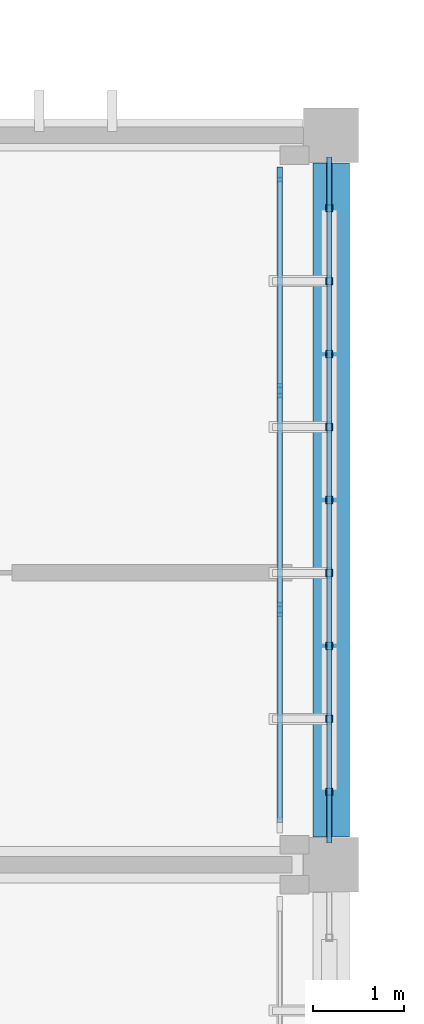
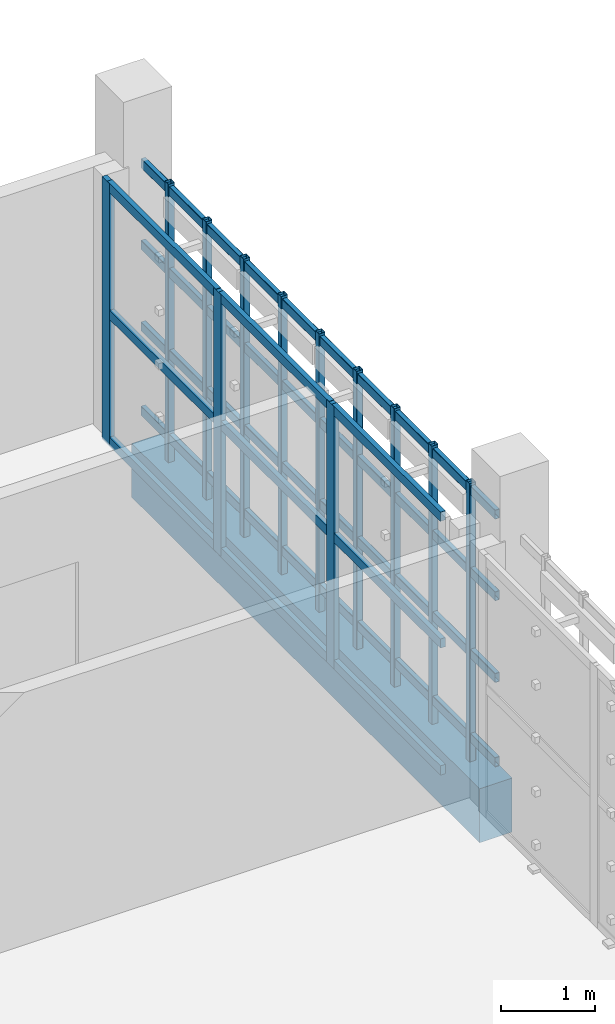
# One storey, part 50 of 83: 25 members, 1 beam, 1 element without a shape of its own.
"""IFC4 building model written with IfcOpenShell, lengths in metres."""

from ifc_helpers import new_model, si_unit, direction, frame, origin, origin_2d, place, context, subcontext, project, spatial, rectangle, hollow_rectangle, extrude, material, layer, layer_set, material_profile, profile_set, type_object, element, aggregate, save


model = new_model("IFC4")

# Units and contexts
model_context = context("Model", 3, precision=1e-05, world=origin(), true_north=direction((0.0, 1.0)))
body_context = subcontext(model_context, "Body", "Model", "MODEL_VIEW")
ifc_project = project(units=[si_unit("LENGTHUNIT", "METRE"), si_unit("AREAUNIT", "SQUARE_METRE"), si_unit("VOLUMEUNIT", "CUBIC_METRE"), si_unit("PLANEANGLEUNIT", "RADIAN"), si_unit("MASSUNIT", "GRAM", prefix="KILO")], contexts=[model_context])

# Site, building, storey
site_placement = place(None, origin())
site = spatial("IfcSite", under=ifc_project, at=site_placement, CompositionType="ELEMENT")
building_placement = place(site_placement, origin())
building = spatial("IfcBuilding", under=site, at=building_placement, Name="Jelvoka-Kovrelna Polytechnic", CompositionType="ELEMENT")
storey_placement = place(building_placement, frame((0.0, 0.0, 13.800048828125)))
storey = spatial("IfcBuildingStorey", under=building, at=storey_placement, Name="L04", CompositionType="ELEMENT", Elevation=13.800048828125)

# Beam
ifc_material_1 = material(Name="Concrete C40/50", Category="concrete")
ifc_material_profile_1 = material_profile(ifc_material_1, rectangle(XDim=0.39990234375, YDim=0.699951171875, at=origin_2d()), Name="RC 400x700")
ifc_profile_set_1 = profile_set([ifc_material_profile_1], Name="Concrete C40/50")
beam_type = type_object("IfcBeamType", Name="Beam_RC_400x700", PredefinedType="BEAM", material=ifc_profile_set_1)
beam_placement = place(storey_placement, frame((200.0, 40.304931640625, -0.60009765625), z_axis=(0.0, 1.0, 0.0), x_axis=(-1.0, 0.0, 0.0)))
element("IfcBeam", 1, at=beam_placement, inside=storey, type_object=beam_type, Name="L04 beam 1257", PredefinedType="BEAM", context=body_context, shape_type="SweptSolid", body=[
    extrude(rectangle(XDim=0.39990234375, YDim=0.699951171875, at=origin_2d()), origin(), (0.0, 0.0, 1.0), 7.39013671875),
])

# Members
ifc_material_2 = material(Name="Structural steel S355J2H", Category="steel")
ifc_material_profile_2 = material_profile(ifc_material_2, hollow_rectangle(XDim=0.06005859375, YDim=0.1201171875, WallThickness=0.0048828125, InnerFilletRadius=0.0048828125, OuterFilletRadius=0.007568359375, at=origin_2d()), Name="120x60x5.0 RHS")
ifc_profile_set_2 = profile_set([ifc_material_profile_2], Name="Structural steel S355J2H")
member_type_1 = type_object("IfcMemberType", Name="Member_Strut_RHS120", PredefinedType="STRUT", material=ifc_profile_set_2)
for number, where, z_axis, x_axis, name in (
    (2, (199.97998046875, 40.239990234375, 0.079833984375), (0.0, 1.0, 0.0), (-1.0, 0.0, 0.0), "L04 terracotta screen horizontal strut 0469"),
    (3, (199.97998046875, 40.239990234375, 1.17138671875), (0.0, 1.0, 0.0), (-1.0, 0.0, 0.0), "L04 terracotta screen horizontal strut 0470"),
    (4, (199.97998046875, 40.239990234375, 2.230712890625), (0.0, 1.0, 0.0), (-1.0, 0.0, 0.0), "L04 terracotta screen horizontal strut 0471"),
    (5, (199.97998046875, 40.239990234375, 3.2900390625), (0.0, 1.0, 0.0), (-1.0, 0.0, 0.0), "L04 terracotta screen horizontal strut 0472"),
):
    element("IfcMember", number, at=place(storey_placement, frame(where, z_axis=z_axis, x_axis=x_axis)), inside=storey, type_object=member_type_1, Name=name, PredefinedType="STRUT", context=body_context, shape_type="SweptSolid", body=[
        extrude(hollow_rectangle(XDim=0.06005859375, YDim=0.1201171875, WallThickness=0.0048828125, InnerFilletRadius=0.0048828125, OuterFilletRadius=0.007568359375, at=origin_2d()), origin(), (0.0, 0.0, 1.0), 7.52001953125),
    ])
ifc_material_3 = material(Name="Structural steel S355J2H", Category="steel")
ifc_material_profile_3 = material_profile(ifc_material_3, hollow_rectangle(XDim=0.080078125, YDim=0.080078125, WallThickness=0.0048828125, InnerFilletRadius=0.0048828125, OuterFilletRadius=0.007568359375, at=origin_2d()), Name="80x80x5.0 SHS")
ifc_profile_set_3 = profile_set([ifc_material_profile_3], Name="Structural steel S355J2H")
member_type_2 = type_object("IfcMemberType", Name="Member_Strut_SHS80", PredefinedType="STRUT", material=ifc_profile_set_3)
for number, where, z_axis, x_axis, name in (
    (6, (199.97998046875, 40.800048828125, -0.22998046875), (0.0, 0.0, 1.0), (1.0, 0.0, 0.0), "L04 terracotta lattice vertical rib 0473"),
    (7, (199.97998046875, 41.60009765625, -0.22998046875), (0.0, 0.0, 1.0), (1.0, 0.0, 0.0), "L04 terracotta lattice vertical rib 0474"),
    (8, (199.97998046875, 42.39990234375, -0.22998046875), (0.0, 0.0, 1.0), (1.0, 0.0, 0.0), "L04 terracotta lattice vertical rib 0475"),
    (9, (199.97998046875, 43.199951171875, -0.22998046875), (0.0, 0.0, 1.0), (1.0, 0.0, 0.0), "L04 terracotta lattice vertical rib 0476"),
    (10, (199.97998046875, 44.0, -0.22998046875), (0.0, 0.0, 1.0), (1.0, 0.0, 0.0), "L04 terracotta lattice vertical rib 0477"),
    (11, (199.97998046875, 44.800048828125, -0.22998046875), (0.0, 0.0, 1.0), (1.0, 0.0, 0.0), "L04 terracotta lattice vertical rib 0478"),
    (12, (199.97998046875, 45.60009765625, -0.22998046875), (0.0, 0.0, 1.0), (1.0, 0.0, 0.0), "L04 terracotta lattice vertical rib 0479"),
    (13, (199.97998046875, 46.39990234375, -0.22998046875), (0.0, 0.0, 1.0), (1.0, 0.0, 0.0), "L04 terracotta lattice vertical rib 0480"),
    (14, (199.97998046875, 47.199951171875, -0.22998046875), (0.0, 0.0, 1.0), (1.0, 0.0, 0.0), "L04 terracotta lattice vertical rib 0481"),
):
    element("IfcMember", number, at=place(storey_placement, frame(where, z_axis=z_axis, x_axis=x_axis)), inside=storey, type_object=member_type_2, Name=name, PredefinedType="STRUT", context=body_context, shape_type="SweptSolid", body=[
        extrude(hollow_rectangle(XDim=0.080078125, YDim=0.080078125, WallThickness=0.0048828125, InnerFilletRadius=0.0048828125, OuterFilletRadius=0.007568359375, at=origin_2d()), origin(), (0.0, 0.0, 1.0), 3.60986328125),
    ])

# Curtain wall, members
ifc_material_4 = material(Name="Anodised aluminium 6063-T6", Category="aluminium")
ifc_layer = layer(ifc_material_4, 0.159912109375)
ifc_layer_set = layer_set([ifc_layer], Name="Anodised aluminium 6063-T6")
curtain_wall_type = type_object("IfcCurtainWallType", Name="CW_Recessed_A", PredefinedType="NOTDEFINED", material=ifc_layer_set)
curtain_wall_placement = place(storey_placement, origin())
curtain_wall = element("IfcCurtainWall", 15, at=curtain_wall_placement, inside=storey, type_object=curtain_wall_type, Name="L04 glazed curtain wall 069", PredefinedType="NOTDEFINED")
ifc_material_5 = material(Name="Anodised aluminium 6063-T6", Category="aluminium")
ifc_material_profile_4 = material_profile(ifc_material_5, rectangle(XDim=0.06005859375, YDim=0.159912109375, at=origin_2d()), Name="ALU 60x160")
ifc_profile_set_4 = profile_set([ifc_material_profile_4], Name="Anodised aluminium 6063-T6")
member_type_3 = type_object("IfcMemberType", Name="Mullion_M-01", PredefinedType="MULLION", material=ifc_profile_set_4)
member_1_placement = place(storey_placement, frame((199.43994140625, 47.570068359375, -0.02490234375), z_axis=(0.0, 0.0, 1.0), x_axis=(1.0, 0.0, 0.0)))
member_1 = element("IfcMember", 16, at=member_1_placement, type_object=member_type_3, Name="CW-01 mullion 1", PredefinedType="MULLION", context=body_context, shape_type="SweptSolid", body=[
    extrude(rectangle(XDim=0.06005859375, YDim=0.159912109375, at=origin_2d()), origin(), (0.0, 0.0, 1.0), 3.39990234375),
])
member_2_placement = place(storey_placement, frame((199.43994140625, 45.199951171875, -0.02490234375), z_axis=(0.0, 0.0, 1.0), x_axis=(1.0, 0.0, 0.0)))
member_2 = element("IfcMember", 17, at=member_2_placement, type_object=member_type_3, Name="CW-01 mullion 2", PredefinedType="MULLION", context=body_context, shape_type="SweptSolid", body=[
    extrude(rectangle(XDim=0.06005859375, YDim=0.159912109375, at=origin_2d()), origin(), (0.0, 0.0, 1.0), 3.39990234375),
])
member_3_placement = place(storey_placement, frame((199.43994140625, 42.800048828125, -0.02490234375), z_axis=(0.0, 0.0, 1.0), x_axis=(1.0, 0.0, 0.0)))
member_3 = element("IfcMember", 18, at=member_3_placement, type_object=member_type_3, Name="CW-01 mullion 3", PredefinedType="MULLION", context=body_context, shape_type="SweptSolid", body=[
    extrude(rectangle(XDim=0.06005859375, YDim=0.159912109375, at=origin_2d()), origin(), (0.0, 0.0, 1.0), 3.39990234375),
])
ifc_material_6 = material(Name="Anodised aluminium 6063-T6", Category="aluminium")
ifc_material_profile_5 = material_profile(ifc_material_6, rectangle(XDim=0.06005859375, YDim=0.1201171875, at=origin_2d()), Name="ALU 60x120")
ifc_profile_set_5 = profile_set([ifc_material_profile_5], Name="Anodised aluminium 6063-T6")
member_type_4 = type_object("IfcMemberType", Name="Transom_T-01", PredefinedType="USERDEFINED", material=ifc_profile_set_5)
member_4_placement = place(storey_placement, frame((199.43994140625, 47.5400390625, 0.030029296875), z_axis=(0.0, -1.0, 0.0), x_axis=(1.0, 0.0, 0.0)))
member_4 = element("IfcMember", 19, at=member_4_placement, type_object=member_type_4, Name="CW-01 transom 1.1", ObjectType="TRANSOM", PredefinedType="USERDEFINED", context=body_context, shape_type="SweptSolid", body=[
    extrude(rectangle(XDim=0.06005859375, YDim=0.1201171875, at=origin_2d()), origin(), (0.0, 0.0, 1.0), 2.31005859375),
])
member_5_placement = place(storey_placement, frame((199.43994140625, 47.5400390625, 1.675048828125), z_axis=(0.0, -1.0, 0.0), x_axis=(1.0, 0.0, 0.0)))
member_5 = element("IfcMember", 20, at=member_5_placement, type_object=member_type_4, Name="CW-01 transom 1.2", ObjectType="TRANSOM", PredefinedType="USERDEFINED", context=body_context, shape_type="SweptSolid", body=[
    extrude(rectangle(XDim=0.06005859375, YDim=0.1201171875, at=origin_2d()), origin(), (0.0, 0.0, 1.0), 2.31005859375),
])
member_6_placement = place(storey_placement, frame((199.43994140625, 47.5400390625, 3.320068359375), z_axis=(0.0, -1.0, 0.0), x_axis=(1.0, 0.0, 0.0)))
member_6 = element("IfcMember", 21, at=member_6_placement, type_object=member_type_4, Name="CW-01 transom 1.3", ObjectType="TRANSOM", PredefinedType="USERDEFINED", context=body_context, shape_type="SweptSolid", body=[
    extrude(rectangle(XDim=0.06005859375, YDim=0.1201171875, at=origin_2d()), origin(), (0.0, 0.0, 1.0), 2.31005859375),
])
member_7_placement = place(storey_placement, frame((199.43994140625, 45.169921875, 0.030029296875), z_axis=(0.0, -1.0, 0.0), x_axis=(1.0, 0.0, 0.0)))
member_7 = element("IfcMember", 22, at=member_7_placement, type_object=member_type_4, Name="CW-01 transom 2.1", ObjectType="TRANSOM", PredefinedType="USERDEFINED", context=body_context, shape_type="SweptSolid", body=[
    extrude(rectangle(XDim=0.06005859375, YDim=0.1201171875, at=origin_2d()), origin(), (0.0, 0.0, 1.0), 2.33984375),
])
member_8_placement = place(storey_placement, frame((199.43994140625, 45.169921875, 1.675048828125), z_axis=(0.0, -1.0, 0.0), x_axis=(1.0, 0.0, 0.0)))
member_8 = element("IfcMember", 23, at=member_8_placement, type_object=member_type_4, Name="CW-01 transom 2.2", ObjectType="TRANSOM", PredefinedType="USERDEFINED", context=body_context, shape_type="SweptSolid", body=[
    extrude(rectangle(XDim=0.06005859375, YDim=0.1201171875, at=origin_2d()), origin(), (0.0, 0.0, 1.0), 2.33984375),
])
member_9_placement = place(storey_placement, frame((199.43994140625, 45.169921875, 3.320068359375), z_axis=(0.0, -1.0, 0.0), x_axis=(1.0, 0.0, 0.0)))
member_9 = element("IfcMember", 24, at=member_9_placement, type_object=member_type_4, Name="CW-01 transom 2.3", ObjectType="TRANSOM", PredefinedType="USERDEFINED", context=body_context, shape_type="SweptSolid", body=[
    extrude(rectangle(XDim=0.06005859375, YDim=0.1201171875, at=origin_2d()), origin(), (0.0, 0.0, 1.0), 2.33984375),
])
member_10_placement = place(storey_placement, frame((199.43994140625, 42.77001953125, 0.030029296875), z_axis=(0.0, -1.0, 0.0), x_axis=(1.0, 0.0, 0.0)))
member_10 = element("IfcMember", 25, at=member_10_placement, type_object=member_type_4, Name="CW-01 transom 3.1", ObjectType="TRANSOM", PredefinedType="USERDEFINED", context=body_context, shape_type="SweptSolid", body=[
    extrude(rectangle(XDim=0.06005859375, YDim=0.1201171875, at=origin_2d()), origin(), (0.0, 0.0, 1.0), 2.31005859375),
])
member_11_placement = place(storey_placement, frame((199.43994140625, 42.77001953125, 1.675048828125), z_axis=(0.0, -1.0, 0.0), x_axis=(1.0, 0.0, 0.0)))
member_11 = element("IfcMember", 26, at=member_11_placement, type_object=member_type_4, Name="CW-01 transom 3.2", ObjectType="TRANSOM", PredefinedType="USERDEFINED", context=body_context, shape_type="SweptSolid", body=[
    extrude(rectangle(XDim=0.06005859375, YDim=0.1201171875, at=origin_2d()), origin(), (0.0, 0.0, 1.0), 2.31005859375),
])
member_12_placement = place(storey_placement, frame((199.43994140625, 42.77001953125, 3.320068359375), z_axis=(0.0, -1.0, 0.0), x_axis=(1.0, 0.0, 0.0)))
member_12 = element("IfcMember", 27, at=member_12_placement, type_object=member_type_4, Name="CW-01 transom 3.3", ObjectType="TRANSOM", PredefinedType="USERDEFINED", context=body_context, shape_type="SweptSolid", body=[
    extrude(rectangle(XDim=0.06005859375, YDim=0.1201171875, at=origin_2d()), origin(), (0.0, 0.0, 1.0), 2.31005859375),
])
aggregate(curtain_wall, [member_1, member_2, member_3, member_4, member_5, member_6, member_7, member_8, member_9, member_10, member_11, member_12])

save(model, "model.ifc")
